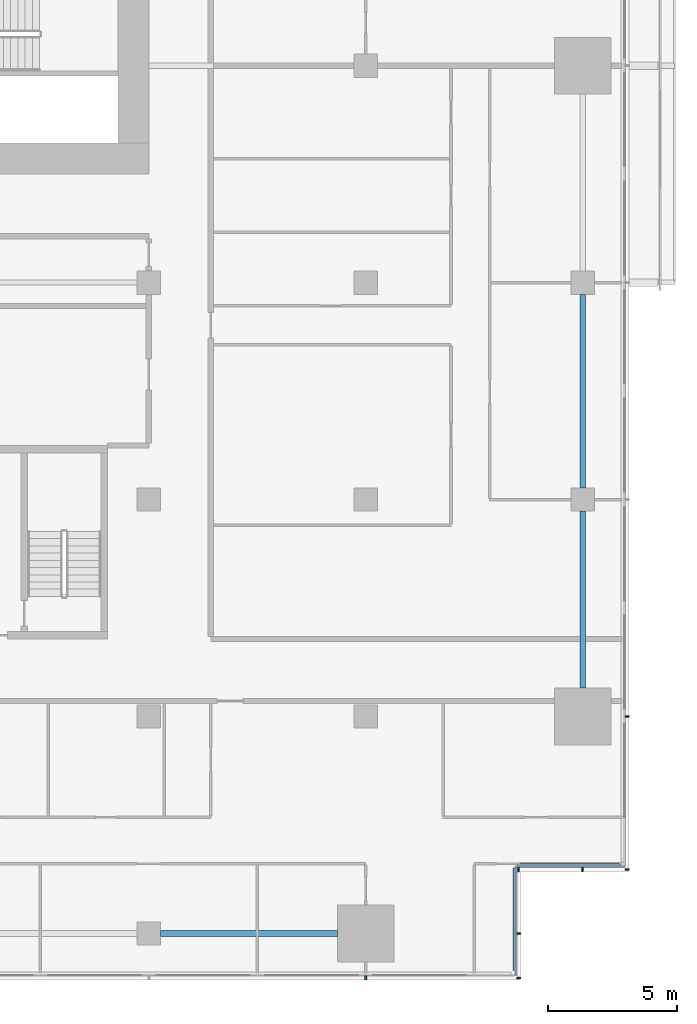
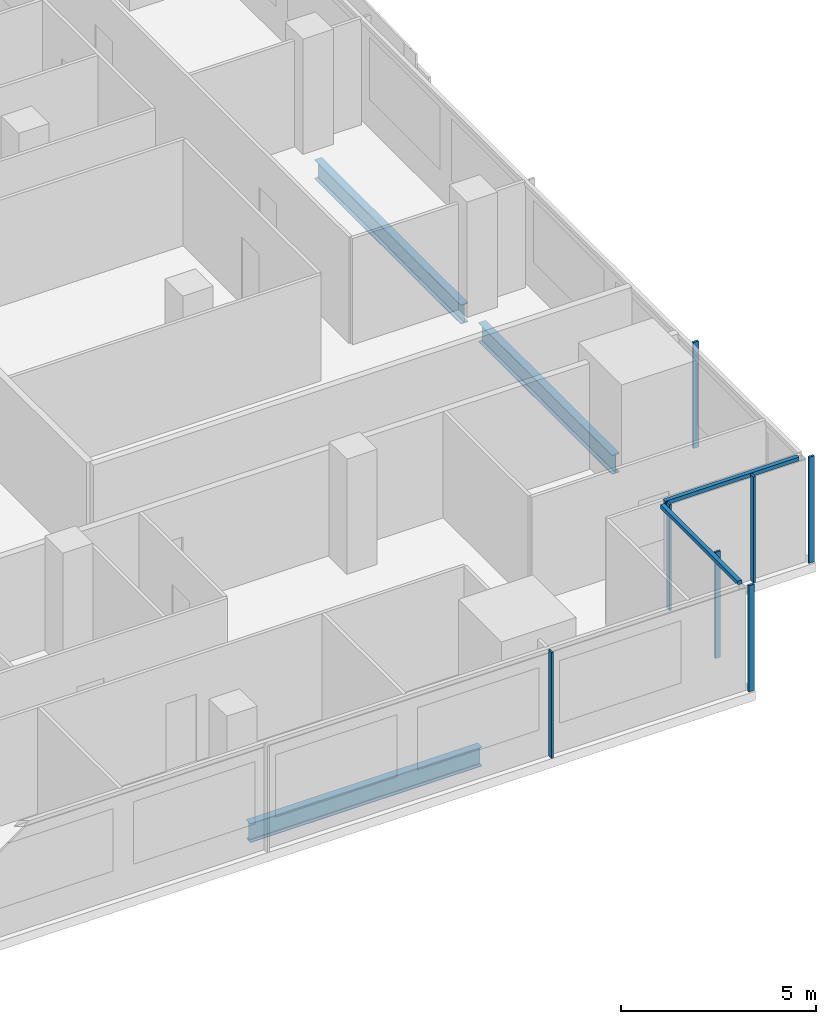
# One storey, part 10 of 27: 9 members, 3 beams, 4 elements without a shape of their own.
"""IFC4 building model written with IfcOpenShell, lengths in metres."""

from ifc_helpers import new_model, si_unit, direction, frame, origin, origin_2d, place, context, subcontext, project, spatial, rectangle, i_section, extrude, material, material_profile, profile_set, type_object, element, aggregate, save


model = new_model("IFC4")

# Units and contexts
model_context = context("Model", 3, precision=1e-05, world=origin(), true_north=direction((0.0, 1.0)))
body_context = subcontext(model_context, "Body", "Model", "MODEL_VIEW")
ifc_project = project(units=[si_unit("LENGTHUNIT", "METRE"), si_unit("AREAUNIT", "SQUARE_METRE"), si_unit("VOLUMEUNIT", "CUBIC_METRE"), si_unit("PLANEANGLEUNIT", "RADIAN"), si_unit("MASSUNIT", "GRAM", prefix="KILO")], contexts=[model_context])

# Site, building, storey
site_placement = place(None, origin())
site = spatial("IfcSite", under=ifc_project, at=site_placement, CompositionType="ELEMENT")
building_placement = place(site_placement, origin())
building = spatial("IfcBuilding", under=site, at=building_placement, Name="Saffron Gate Tower", CompositionType="ELEMENT")
storey_placement = place(building_placement, frame((0.0, 0.0, 76.800048828125)))
storey = spatial("IfcBuildingStorey", under=building, at=storey_placement, Name="L18", CompositionType="ELEMENT", Elevation=76.800048828125)

# Beams
ifc_material_1 = material(Name="Structural steel S355", Category="steel")
ifc_material_profile_1 = material_profile(ifc_material_1, i_section(OverallWidth=0.219970703125, OverallDepth=0.60009765625, WebThickness=0.011962890625, FlangeThickness=0.01904296875, FilletRadius=0.02392578125, at=origin_2d()))
ifc_profile_set_1 = profile_set([ifc_material_profile_1], Name="Structural steel S355")
beam_type = type_object("IfcBeamType", Name="B16 IPE 600", PredefinedType="SPANDREL", material=ifc_profile_set_1)
for number, where, z_axis, x_axis, name in (
    (1, (109.050048828125, 31.800048828125, -0.580078125), (1.0, 0.0, 0.0), (0.0, 1.0, 0.0), "B16 SPANDREL BEAM"),
    (2, (125.39990234375, 41.300048828125, -0.580078125), (0.0, 1.0, 0.0), (-1.0, 0.0, 0.0), "B16 SPANDREL BEAM"),
):
    element("IfcBeam", number, at=place(storey_placement, frame(where, z_axis=z_axis, x_axis=x_axis)), inside=storey, type_object=beam_type, Name=name, PredefinedType="SPANDREL", context=body_context, shape_type="SweptSolid", body=[
        extrude(i_section(OverallWidth=0.219970703125, OverallDepth=0.60009765625, WebThickness=0.011962890625, FlangeThickness=0.01904296875, FilletRadius=0.02392578125, at=origin_2d()), origin(), (0.0, 0.0, 1.0), 6.849853515625),
    ])
beam_placement = place(storey_placement, frame((125.39990234375, 49.050048828125, -0.580078125), z_axis=(0.0, 1.0, 0.0), x_axis=(-1.0, 0.0, 0.0)))
element("IfcBeam", 3, at=beam_placement, inside=storey, type_object=beam_type, Name="B16 SPANDREL BEAM", PredefinedType="SPANDREL", context=body_context, shape_type="SweptSolid", body=[
    extrude(i_section(OverallWidth=0.219970703125, OverallDepth=0.60009765625, WebThickness=0.011962890625, FlangeThickness=0.01904296875, FilletRadius=0.02392578125, at=origin_2d()), origin(), (0.0, 0.0, 1.0), 7.5),
])

# Curtain wall, member
ifc_material_2 = material(Name="Aluminium, bronze anodised", Category="aluminium")
curtain_wall_type_1 = type_object("IfcCurtainWallType", Name="CWS1 curtain wall front facade", PredefinedType="NOTDEFINED", material=ifc_material_2)
curtain_wall_1_placement = place(storey_placement, origin())
curtain_wall_1 = element("IfcCurtainWall", 4, at=curtain_wall_1_placement, inside=storey, type_object=curtain_wall_type_1, Name="CWS1 run 1", PredefinedType="NOTDEFINED")
ifc_material_profile_2 = material_profile(ifc_material_2, rectangle(XDim=0.159912109375, YDim=0.06005859375, at=origin_2d()))
ifc_profile_set_2 = profile_set([ifc_material_profile_2], Name="Aluminium, bronze anodised")
member_type_1 = type_object("IfcMemberType", Name="CWS1 mullion 60x160", PredefinedType="MULLION", material=ifc_profile_set_2)
member_1_placement = place(storey_placement, frame((117.0, 30.080078125, 0.0), z_axis=(0.0, 0.0, 1.0), x_axis=(0.0, 1.0, 0.0)))
member_1 = element("IfcMember", 5, at=member_1_placement, type_object=member_type_1, Name="CWS1 mullion 9", PredefinedType="MULLION", context=body_context, shape_type="SweptSolid", body=[
    extrude(rectangle(XDim=0.159912109375, YDim=0.06005859375, at=origin_2d()), origin(), (0.0, 0.0, 1.0), 3.320068359375),
])
aggregate(curtain_wall_1, [member_1])

# Curtain wall, members
curtain_wall_type_2 = type_object("IfcCurtainWallType", Name="CWS2 curtain wall side facades", PredefinedType="NOTDEFINED", material=ifc_material_2)
curtain_wall_2_placement = place(storey_placement, origin())
curtain_wall_2 = element("IfcCurtainWall", 6, at=curtain_wall_2_placement, inside=storey, type_object=curtain_wall_type_2, Name="CWS2 run 4", PredefinedType="NOTDEFINED")
ifc_material_profile_3 = material_profile(ifc_material_2, rectangle(XDim=0.159912109375, YDim=0.06005859375, at=origin_2d()))
ifc_profile_set_3 = profile_set([ifc_material_profile_3], Name="Aluminium, bronze anodised")
member_type_2 = type_object("IfcMemberType", Name="CWS2 mullion 60x160", PredefinedType="MULLION", material=ifc_profile_set_3)
member_2_placement = place(storey_placement, frame((127.1201171875, 34.280029296875, 0.0), z_axis=(0.0, 0.0, 1.0), x_axis=(-1.0, 0.0, 0.0)))
member_2 = element("IfcMember", 7, at=member_2_placement, type_object=member_type_2, Name="CWS2 mullion 1", PredefinedType="MULLION", context=body_context, shape_type="SweptSolid", body=[
    extrude(rectangle(XDim=0.159912109375, YDim=0.06005859375, at=origin_2d()), origin(), (0.0, 0.0, 1.0), 3.320068359375),
])
member_3_placement = place(storey_placement, frame((127.1201171875, 40.199951171875, 0.0), z_axis=(0.0, 0.0, 1.0), x_axis=(-1.0, 0.0, 0.0)))
member_3 = element("IfcMember", 8, at=member_3_placement, type_object=member_type_2, Name="CWS2 mullion 2", PredefinedType="MULLION", context=body_context, shape_type="SweptSolid", body=[
    extrude(rectangle(XDim=0.159912109375, YDim=0.06005859375, at=origin_2d()), origin(), (0.0, 0.0, 1.0), 3.320068359375),
])
aggregate(curtain_wall_2, [member_2, member_3])

# Curtain wall, member
curtain_wall_type_3 = type_object("IfcCurtainWallType", Name="CWS4 curtain wall corner returns", PredefinedType="NOTDEFINED", material=ifc_material_2)
curtain_wall_3_placement = place(storey_placement, origin())
curtain_wall_3 = element("IfcCurtainWall", 9, at=curtain_wall_3_placement, inside=storey, type_object=curtain_wall_type_3, Name="CWS4 run 2", PredefinedType="NOTDEFINED")
ifc_material_profile_4 = material_profile(ifc_material_2, rectangle(XDim=0.1201171875, YDim=0.1201171875, at=origin_2d()))
ifc_profile_set_4 = profile_set([ifc_material_profile_4], Name="Aluminium, bronze anodised")
member_type_3 = type_object("IfcMemberType", Name="CWS4 head transom", PredefinedType="USERDEFINED", material=ifc_profile_set_4)
member_4_placement = place(storey_placement, frame((122.751953125, 30.367919921875, 3.260009765625), z_axis=(0.0, 1.0, 0.0), x_axis=(-1.0, 0.0, 0.0)))
member_4 = element("IfcMember", 10, at=member_4_placement, type_object=member_type_3, Name="CWS4 head transom", ObjectType="TRANSOM", PredefinedType="USERDEFINED", context=body_context, shape_type="SweptSolid", body=[
    extrude(rectangle(XDim=0.1201171875, YDim=0.1201171875, at=origin_2d()), origin(), (0.0, 0.0, 1.0), 3.9599609375),
])

curtain_wall_4_placement = place(storey_placement, origin())
curtain_wall_4 = element("IfcCurtainWall", 11, at=curtain_wall_4_placement, inside=storey, type_object=curtain_wall_type_3, Name="CWS4 run 3", PredefinedType="NOTDEFINED")
member_5_placement = place(storey_placement, frame((122.8720703125, 34.447998046875, 3.260009765625), z_axis=(1.0, 0.0, 0.0), x_axis=(0.0, 1.0, 0.0)))
member_5 = element("IfcMember", 12, at=member_5_placement, type_object=member_type_3, Name="CWS4 head transom", ObjectType="TRANSOM", PredefinedType="USERDEFINED", context=body_context, shape_type="SweptSolid", body=[
    extrude(rectangle(XDim=0.1201171875, YDim=0.1201171875, at=origin_2d()), origin(), (0.0, 0.0, 1.0), 3.9599609375),
])

# Member
ifc_material_profile_5 = material_profile(ifc_material_2, rectangle(XDim=0.159912109375, YDim=0.06005859375, at=origin_2d()))
ifc_profile_set_5 = profile_set([ifc_material_profile_5], Name="Aluminium, bronze anodised")
member_type_4 = type_object("IfcMemberType", Name="CWS4 mullion 60x160", PredefinedType="MULLION", material=ifc_profile_set_5)
member_6_placement = place(storey_placement, frame((122.919921875, 30.080078125, 0.0), z_axis=(0.0, 0.0, 1.0), x_axis=(-1.0, 0.0, 0.0)))
member_6 = element("IfcMember", 13, at=member_6_placement, type_object=member_type_4, Name="CWS4 mullion 1", PredefinedType="MULLION", context=body_context, shape_type="SweptSolid", body=[
    extrude(rectangle(XDim=0.159912109375, YDim=0.06005859375, at=origin_2d()), origin(), (0.0, 0.0, 1.0), 3.320068359375),
])

member_7_placement = place(storey_placement, frame((122.919921875, 31.800048828125, 0.0), z_axis=(0.0, 0.0, 1.0), x_axis=(-1.0, 0.0, 0.0)))
member_7 = element("IfcMember", 14, at=member_7_placement, type_object=member_type_4, Name="CWS4 mullion 2", PredefinedType="MULLION", context=body_context, shape_type="SweptSolid", body=[
    extrude(rectangle(XDim=0.159912109375, YDim=0.06005859375, at=origin_2d()), origin(), (0.0, 0.0, 1.0), 3.320068359375),
])

aggregate(curtain_wall_3, [member_6, member_7, member_4])

member_8_placement = place(storey_placement, frame((122.919921875, 34.280029296875, 0.0), z_axis=(0.0, 0.0, 1.0), x_axis=(0.0, 1.0, 0.0)))
member_8 = element("IfcMember", 15, at=member_8_placement, type_object=member_type_4, Name="CWS4 mullion 1", PredefinedType="MULLION", context=body_context, shape_type="SweptSolid", body=[
    extrude(rectangle(XDim=0.159912109375, YDim=0.06005859375, at=origin_2d()), origin(), (0.0, 0.0, 1.0), 3.320068359375),
])

member_9_placement = place(storey_placement, frame((125.39990234375, 34.280029296875, 0.0), z_axis=(0.0, 0.0, 1.0), x_axis=(0.0, 1.0, 0.0)))
member_9 = element("IfcMember", 16, at=member_9_placement, type_object=member_type_4, Name="CWS4 mullion 2", PredefinedType="MULLION", context=body_context, shape_type="SweptSolid", body=[
    extrude(rectangle(XDim=0.159912109375, YDim=0.06005859375, at=origin_2d()), origin(), (0.0, 0.0, 1.0), 3.320068359375),
])

aggregate(curtain_wall_4, [member_8, member_9, member_5])

save(model, "model.ifc")
